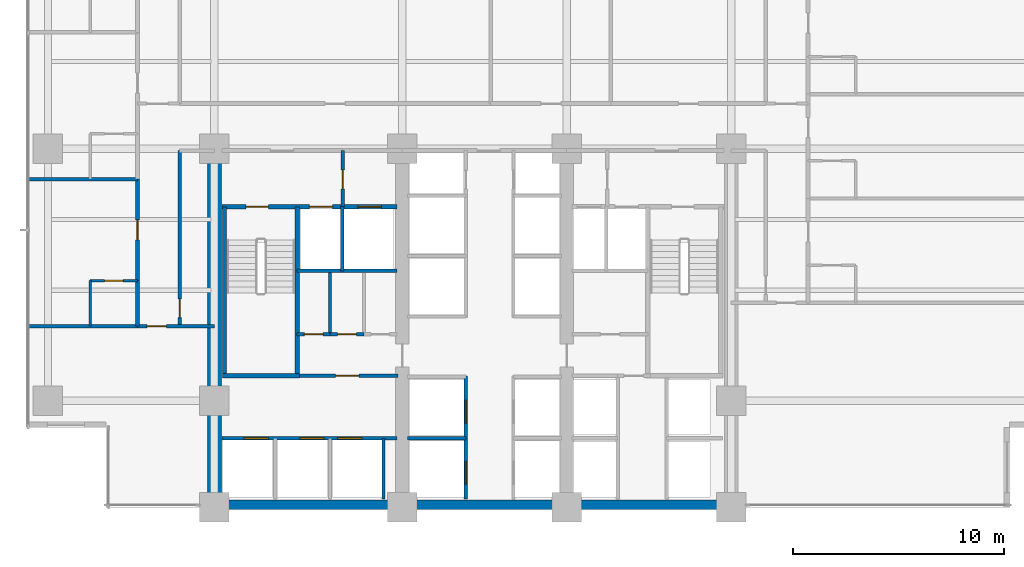
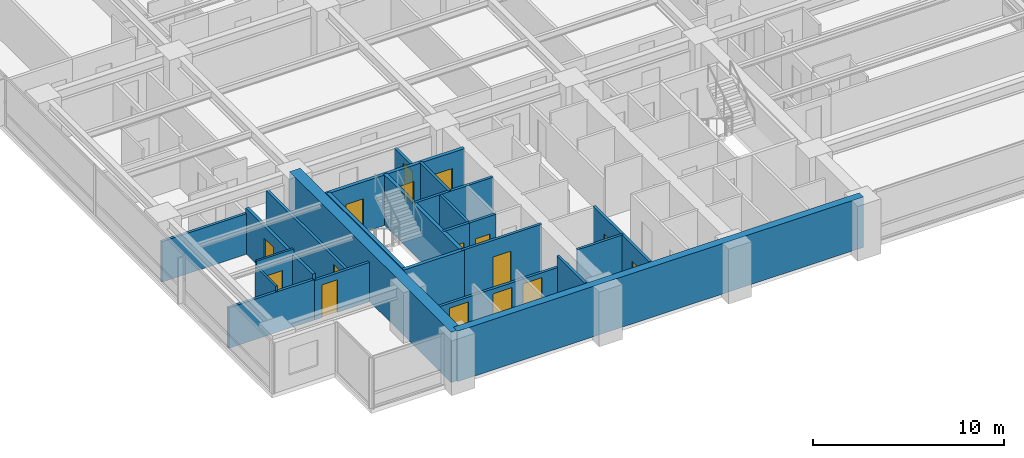
# One storey, part 7 of 17: 25 walls, 16 doors, 16 openings.
"""IFC4 building model written with IfcOpenShell, lengths in metres."""

import ifcopenshell
import ifcopenshell.guid

model = None  # the IFC model being written
_history = None  # IfcOwnerHistory: only IFC2X3 demands one
_inside = {}  # id of a spatial element -> (the spatial element, [elements in it])
_under = {}  # id of a project, library or spatial element -> (it, [spatial elements below it])
_declared = {}  # id of a project -> (the project, [libraries it declares])
_typed = {}  # id of a type object -> (the type object, [elements of that type])
_made_of = {}  # id of a material, layer set ... -> (it, [elements and type objects made of it])


def new_model(schema):
    """Start an empty IFC model of exactly this schema.

    Asked for "IFC4X3", IfcOpenShell would pick the latest addendum, in which some entities
    have other attributes; the version numbers below select the first issue.
    IFC2X3 requires an IfcOwnerHistory on every rooted entity: one is made here for all.
    """
    global model, _history
    if schema == "IFC4X3":
        model = ifcopenshell.file(schema_version=(4, 3, 0, 0))
    else:
        model = ifcopenshell.file(schema=schema)
    _inside.clear()
    _under.clear()
    _declared.clear()
    _typed.clear()
    _made_of.clear()
    _history = None
    if model.schema == "IFC2X3":
        org = make("IfcOrganization", Name="unknown")
        user = make(
            "IfcPersonAndOrganization",
            ThePerson=make("IfcPerson", FamilyName="unknown"),
            TheOrganization=org,
        )
        app = make(
            "IfcApplication",
            ApplicationDeveloper=org,
            Version="unknown",
            ApplicationFullName="unknown",
            ApplicationIdentifier="unknown",
        )
        _history = make(
            "IfcOwnerHistory",
            OwningUser=user,
            OwningApplication=app,
            ChangeAction="ADDED",
            CreationDate=0,
        )
    return model


def make(cls, **values):
    """One entity of the class cls with the attributes given. An attribute that is None is left unset."""
    return model.create_entity(
        cls, **{name: value for name, value in values.items() if value is not None}
    )


def rooted(cls, **values):
    """An entity with a GlobalId (a new one), such as an element, a storey or a relation."""
    return make(cls, GlobalId=ifcopenshell.guid.new(), OwnerHistory=_history, **values)


def si_unit(unit_type, name, prefix=None):
    """IfcSIUnit, for example si_unit("LENGTHUNIT", "METRE", prefix="MILLI")."""
    return make("IfcSIUnit", UnitType=unit_type, Prefix=prefix, Name=name)


def assignment(units):
    """IfcUnitAssignment: the units of a project."""
    return None if units is None else make("IfcUnitAssignment", Units=units)


def point(xyz):
    """IfcCartesianPoint."""
    return None if xyz is None else make("IfcCartesianPoint", Coordinates=xyz)


def direction(xyz):
    """IfcDirection."""
    return None if xyz is None else make("IfcDirection", DirectionRatios=xyz)


def frame(location, z_axis=None, x_axis=None):
    """IfcAxis2Placement3D, a coordinate frame: its origin and axes. An axis left out is left unset."""
    return make(
        "IfcAxis2Placement3D",
        Location=point(location),
        Axis=direction(z_axis),
        RefDirection=direction(x_axis),
    )


def frame_2d(location, x_axis=None):
    """IfcAxis2Placement2D, a coordinate frame in the plane: its origin and x axis."""
    return make(
        "IfcAxis2Placement2D", Location=point(location), RefDirection=direction(x_axis)
    )


def origin():
    """The frame at (0, 0, 0) with its axes left unset."""
    return frame((0.0, 0.0, 0.0))


def place(relative_to, where):
    """IfcLocalPlacement: puts the frame where relative to a parent placement (None: the world)."""
    return make(
        "IfcLocalPlacement", PlacementRelTo=relative_to, RelativePlacement=where
    )


def context(
    kind, dimensions, precision=None, world=None, true_north=None, identifier=None
):
    """IfcGeometricRepresentationContext, for example the 3D "Model" context."""
    return make(
        "IfcGeometricRepresentationContext",
        ContextIdentifier=identifier,
        ContextType=kind,
        CoordinateSpaceDimension=dimensions,
        Precision=precision,
        WorldCoordinateSystem=world,
        TrueNorth=true_north,
    )


def subcontext(parent, identifier, kind, view, scale=None):
    """IfcGeometricRepresentationSubContext, for example "Body" below "Model"."""
    return make(
        "IfcGeometricRepresentationSubContext",
        ContextIdentifier=identifier,
        ContextType=kind,
        ParentContext=parent,
        TargetScale=scale,
        TargetView=view,
    )


def project(units=None, contexts=None):
    """IfcProject with its units and contexts."""
    return rooted(
        "IfcProject",
        Name="project",
        RepresentationContexts=contexts,
        UnitsInContext=assignment(units),
    )


def spatial(cls, under=None, at=None, **own):
    """A site, building, storey or space (cls), placed at a placement, below another one or the project."""
    s = rooted(cls, ObjectPlacement=at, **own)
    if under is not None:
        _under.setdefault(under.id(), (under, []))[1].append(s)
    return s


def profile(cls, at=None, kind="AREA", **sizes):
    """A parametric profile (cls). Its sizes go by their IFC names, for example OverallWidth=200.0."""
    return make(cls, ProfileType=kind, Position=at, **sizes)


def rectangle(**sizes):
    """IfcRectangleProfileDef."""
    return profile("IfcRectangleProfileDef", **sizes)


def extrude(swept, where, along, depth):
    """IfcExtrudedAreaSolid: the profile swept, set in the frame where, extruded along a direction by depth."""
    return make(
        "IfcExtrudedAreaSolid",
        SweptArea=swept,
        Position=where,
        ExtrudedDirection=direction(along),
        Depth=depth,
    )


def shape(context_of_items, identifier, shape_type, items):
    """IfcShapeRepresentation: the items that make up one representation, for example the "Body"."""
    return make(
        "IfcShapeRepresentation",
        ContextOfItems=context_of_items,
        RepresentationIdentifier=identifier,
        RepresentationType=shape_type,
        Items=items,
    )


def material(Name=None, Category=None):
    """IfcMaterial."""
    return make("IfcMaterial", Name=Name, Category=Category)


def layer(
    of_material, thickness, ventilated=None, Name=None, Category=None, Priority=None
):
    """IfcMaterialLayer: one layer of a wall or slab, of a material (None: an air gap)."""
    return make(
        "IfcMaterialLayer",
        Material=of_material,
        LayerThickness=thickness,
        IsVentilated=ventilated,
        Name=Name,
        Category=Category,
        Priority=Priority,
    )


def layer_set(layers, Name=None):
    """IfcMaterialLayerSet."""
    return make("IfcMaterialLayerSet", MaterialLayers=layers, LayerSetName=Name)


def made_of(thing, what):
    """Note that an element or type object is made of a material, layer set ...; save() writes the relation."""
    if what is not None:
        _made_of.setdefault(what.id(), (what, []))[1].append(thing)
    return thing


def type_object(cls, material=None, **own):
    """A type object (cls), such as IfcWallType, which elements share."""
    return made_of(rooted(cls, **own), material)


def element(
    cls,
    number,
    at=None,
    inside=None,
    cuts=None,
    type_object=None,
    material=None,
    context=None,
    identifier="Body",
    shape_type=None,
    held_by="IfcProductDefinitionShape",
    body=None,
    shapes=None,
    **own,
):
    """One element of the class cls, such as IfcWall. Its Tag is "e" and its number.

    at: its placement. inside: the storey or other place that contains it. cuts: it is an
    opening in that element (IfcRelVoidsElement). A single representation is given by context,
    identifier, shape_type and body (its items); several are given by shapes. held_by: the class
    of the entity that holds the representations. save() writes the other relations.
    """
    e = rooted(cls, Tag="e%d" % number, ObjectPlacement=at, **own)
    if body is not None:
        shapes = [shape(context, identifier, shape_type, body)]
    if shapes is not None:
        e.Representation = make(held_by, Representations=shapes)
    if inside is not None:
        _inside.setdefault(inside.id(), (inside, []))[1].append(e)
    if cuts is not None:
        rooted(
            "IfcRelVoidsElement", RelatingBuildingElement=cuts, RelatedOpeningElement=e
        )
    if type_object is not None:
        _typed.setdefault(type_object.id(), (type_object, []))[1].append(e)
    return made_of(e, material)


def fill(opening, filler):
    """IfcRelFillsElement: the door or window that sits in an opening."""
    return rooted(
        "IfcRelFillsElement",
        RelatingOpeningElement=opening,
        RelatedBuildingElement=filler,
    )


def aggregate(whole, parts):
    """IfcRelAggregates: a whole, such as a stair, and the parts it consists of."""
    return rooted("IfcRelAggregates", RelatingObject=whole, RelatedObjects=parts)


def save(model, path):
    """Write the relations noted so far, then the file.

    IfcRelAggregates (storeys below a building ...), IfcRelContainedInSpatialStructure (elements
    in a storey), IfcRelDefinesByType, IfcRelAssociatesMaterial and IfcRelDeclares: one each for
    every whole, place, type object, material and project.
    """
    for whole, parts in _under.values():
        aggregate(whole, parts)
    for where, things in _inside.values():
        rooted(
            "IfcRelContainedInSpatialStructure",
            RelatedElements=things,
            RelatingStructure=where,
        )
    for kind, things in _typed.values():
        rooted("IfcRelDefinesByType", RelatedObjects=things, RelatingType=kind)
    for what, things in _made_of.values():
        rooted("IfcRelAssociatesMaterial", RelatedObjects=things, RelatingMaterial=what)
    for by, libraries in _declared.values():
        rooted("IfcRelDeclares", RelatingContext=by, RelatedDefinitions=libraries)
    model.write(path)


model = new_model("IFC4")

# Units and contexts
model_context = context("Model", 3, precision=1e-05, world=origin(), true_north=direction((0.0, 1.0)))
body_context = subcontext(model_context, "Body", "Model", "MODEL_VIEW")
ifc_project = project(units=[si_unit("LENGTHUNIT", "METRE"), si_unit("AREAUNIT", "SQUARE_METRE"), si_unit("VOLUMEUNIT", "CUBIC_METRE"), si_unit("PLANEANGLEUNIT", "RADIAN"), si_unit("MASSUNIT", "GRAM", prefix="KILO")], contexts=[model_context])

# Site, building, storey
site_placement = place(None, origin())
site = spatial("IfcSite", under=ifc_project, at=site_placement, CompositionType="ELEMENT")
building_placement = place(site_placement, origin())
building = spatial("IfcBuilding", under=site, at=building_placement, Name="Qalmaran Belvedere Hotel", CompositionType="ELEMENT")
storey_placement = place(building_placement, frame((0.0, 0.0, 33.39990234375)))
storey = spatial("IfcBuildingStorey", under=building, at=storey_placement, Name="L07", CompositionType="ELEMENT", Elevation=33.39990234375)

# Walls
ifc_material_1 = material(Name="Concrete C60/75", Category="concrete")
ifc_layer_1 = layer(ifc_material_1, 0.64990234375, Name="Concrete C60/75")
ifc_layer_set_1 = layer_set([ifc_layer_1], Name="Concrete C60/75")
wall_type_1 = type_object("IfcWallType", Name="WL-CORE-650-C60", PredefinedType="SHEAR", material=ifc_layer_set_1)
wall_1_placement = place(storey_placement, frame((20.300048828125, 3.5, 0.0), z_axis=(0.0, 0.0, 1.0), x_axis=(0.0, 1.0, 0.0)))
element("IfcWall", 1, at=wall_1_placement, inside=storey, type_object=wall_type_1, Name="L07 West Core Shear Wall", PredefinedType="SHEAR", context=body_context, shape_type="SweptSolid", body=[
    extrude(rectangle(XDim=16.89990234375, YDim=0.64990234375, at=frame_2d((8.449951171875, 0.0))), origin(), (0.0, 0.0, 1.0), 3.22021484375),
])
ifc_material_2 = material(Name="Concrete C50/60", Category="concrete")
ifc_layer_2 = layer(ifc_material_2, 0.43994140625, Name="Concrete C50/60")
ifc_layer_set_2 = layer_set([ifc_layer_2], Name="Concrete C50/60")
wall_type_2 = type_object("IfcWallType", Name="WL-CORES-440-EXT", PredefinedType="SHEAR", material=ifc_layer_set_2)
wall_2_placement = place(storey_placement, frame((20.300048828125, 3.6298828125, 0.0), z_axis=(0.0, 0.0, 1.0), x_axis=(1.0, 0.0, 0.0)))
element("IfcWall", 2, at=wall_2_placement, inside=storey, type_object=wall_type_2, Name="L07 South Core Shear Wall", PredefinedType="SHEAR", context=body_context, shape_type="SweptSolid", body=[
    extrude(rectangle(XDim=24.5, YDim=0.43994140625, at=frame_2d((12.25, 0.0))), origin(), (0.0, 0.0, 1.0), 3.22021484375),
])

# Wall, opening, door
ifc_material_3 = material(Name="Moisture-Resistant Gypsum")
ifc_layer_3 = layer(ifc_material_3, 0.1201171875, Name="Moisture-Resistant Gypsum")
ifc_layer_set_3 = layer_set([ifc_layer_3], Name="Moisture-Resistant Gypsum")
wall_type_3 = type_object("IfcWallType", Name="WL-INT-120-BATH", PredefinedType="PARTITIONING", material=ifc_layer_set_3)
wall_3_placement = place(storey_placement, frame((14.39990234375, 14.25, 0.0), z_axis=(0.0, 0.0, 1.0), x_axis=(1.0, 0.0, 0.0)))
wall_3 = element("IfcWall", 3, at=wall_3_placement, inside=storey, type_object=wall_type_3, Name="L07 Partition WL-L07-WBN00", PredefinedType="PARTITIONING", context=body_context, shape_type="SweptSolid", body=[
    extrude(rectangle(XDim=2.25, YDim=0.1201171875, at=frame_2d((1.125, 0.0))), origin(), (0.0, 0.0, 1.0), 3.22021484375),
])
opening_1_placement = place(wall_3_placement, frame((1.56494140625, 0.0, 0.0), z_axis=(0.0, 0.0, 1.0), x_axis=(-1.0, 0.0, 0.0)))
opening_1 = element("IfcOpeningElement", 4, at=opening_1_placement, cuts=wall_3, Name="Opening D-BATH", PredefinedType="OPENING", context=body_context, shape_type="SweptSolid", body=[
    extrude(rectangle(XDim=0.8798828125, YDim=2.080078125, at=frame_2d((0.43994140625, 1.0400390625))), frame((0.0, 0.070068359375, 0.0), z_axis=(0.0, -1.0, 0.0), x_axis=(1.0, 0.0, 0.0)), (0.0, 0.0, 1.0), 0.14013671875),
])
ifc_material_4 = material(Name="Engineered Oak Veneer")
door_type_1 = type_object("IfcDoorType", Name="DR-INT-BATH-880X2080", OperationType="NOTDEFINED", PredefinedType="DOOR", material=ifc_material_4)
door_1_placement = place(opening_1_placement, origin())
door_1 = element("IfcDoor", 5, at=door_1_placement, inside=storey, type_object=door_type_1, Name="L07 W Ensuite Door 01", OperationType="SINGLE_SWING_RIGHT", OverallHeight=2.080078125, OverallWidth=0.8798828125, PredefinedType="DOOR", context=body_context, shape_type="SweptSolid", body=[
    extrude(rectangle(XDim=0.8798828125, YDim=2.080078125, at=frame_2d((0.43994140625, 1.0400390625))), frame((0.0, 0.02490234375, 0.0), z_axis=(0.0, -1.0, 0.0), x_axis=(1.0, 0.0, 0.0)), (0.0, 0.0, 1.0), 0.050048828125),
])
fill(opening_1, door_1)

# Walls
wall_4_placement = place(storey_placement, frame((14.39990234375, 12.10009765625, 0.0), z_axis=(0.0, 0.0, 1.0), x_axis=(0.0, 1.0, 0.0)))
element("IfcWall", 6, at=wall_4_placement, inside=storey, type_object=wall_type_3, Name="L07 Partition WL-L07-WBS00", PredefinedType="PARTITIONING", context=body_context, shape_type="SweptSolid", body=[
    extrude(rectangle(XDim=2.14990234375, YDim=0.1201171875, at=frame_2d((1.074951171875, 0.0))), origin(), (0.0, 0.0, 1.0), 2.902099609375),
])
ifc_material_5 = material(Name="Gypsum Stud Partition")
ifc_layer_4 = layer(ifc_material_5, 0.14990234375, Name="Gypsum Stud Partition")
ifc_layer_set_4 = layer_set([ifc_layer_4], Name="Gypsum Stud Partition")
wall_type_4 = type_object("IfcWallType", Name="WL-INT-150-EI120", PredefinedType="PARTITIONING", material=ifc_layer_set_4)
wall_5_placement = place(storey_placement, frame((26.360107421875, 14.719970703125, 0.0), z_axis=(0.0, 0.0, 1.0), x_axis=(0.0, 1.0, 0.0)))
element("IfcWall", 7, at=wall_5_placement, inside=storey, type_object=wall_type_4, Name="L07 Partition WL-FF1M-L07", PredefinedType="PARTITIONING", context=body_context, shape_type="SweptSolid", body=[
    extrude(rectangle(XDim=3.0400390625, YDim=0.14990234375, at=frame_2d((1.52001953125, 0.0))), origin(), (0.0, 0.0, 1.0), 3.22021484375),
])
wall_6_placement = place(storey_placement, frame((28.320068359375, 3.89990234375, 0.0), z_axis=(0.0, 0.0, 1.0), x_axis=(0.0, 1.0, 0.0)))
element("IfcWall", 8, at=wall_6_placement, inside=storey, type_object=wall_type_4, Name="L07 Partition WL-POM3-L07", PredefinedType="PARTITIONING", context=body_context, shape_type="SweptSolid", body=[
    extrude(rectangle(XDim=2.880126953125, YDim=0.14990234375, at=frame_2d((1.43994140625, 0.0))), origin(), (0.0, 0.0, 1.0), 3.22021484375),
])
wall_7_placement = place(storey_placement, frame((29.449951171875, 6.780029296875, 0.0), z_axis=(0.0, 0.0, 1.0), x_axis=(1.0, 0.0, 0.0)))
element("IfcWall", 9, at=wall_7_placement, inside=storey, type_object=wall_type_4, Name="L07 Partition WL-PLW-L07-67", PredefinedType="PARTITIONING", context=body_context, shape_type="SweptSolid", body=[
    extrude(rectangle(XDim=2.77001953125, YDim=0.14990234375, at=frame_2d((1.385009765625, 0.0))), origin(), (0.0, 0.0, 1.0), 3.22021484375),
])
ifc_layer_5 = layer(ifc_material_5, 0.14990234375, Name="Gypsum Stud Partition")
ifc_layer_set_5 = layer_set([ifc_layer_5], Name="Gypsum Stud Partition")
wall_type_5 = type_object("IfcWallType", Name="WL-INT-150-EI60", PredefinedType="PARTITIONING", material=ifc_layer_set_5)
wall_8_placement = place(storey_placement, frame((25.781005859375, 11.719970703125, 0.0), z_axis=(0.0, 0.0, 1.0), x_axis=(0.0, 1.0, 0.0)))
element("IfcWall", 10, at=wall_8_placement, inside=storey, type_object=wall_type_5, Name="L07 Partition WL-L07-KWV1", PredefinedType="PARTITIONING", context=body_context, shape_type="SweptSolid", body=[
    extrude(rectangle(XDim=2.929931640625, YDim=0.14990234375, at=frame_2d((1.46484375, 0.0))), origin(), (0.0, 0.0, 1.0), 3.22021484375),
])

# Wall, opening, door
ifc_layer_6 = layer(ifc_material_5, 0.159912109375, Name="Gypsum Stud Partition")
ifc_layer_set_6 = layer_set([ifc_layer_6], Name="Gypsum Stud Partition")
wall_type_6 = type_object("IfcWallType", Name="WL-INT-160-EI120", PredefinedType="PARTITIONING", material=ifc_layer_set_6)
wall_9_placement = place(storey_placement, frame((26.3798828125, 17.760009765625, 0.0), z_axis=(0.0, 0.0, 1.0), x_axis=(0.0, 1.0, 0.0)))
wall_9 = element("IfcWall", 11, at=wall_9_placement, inside=storey, type_object=wall_type_6, Name="L07 Partition WL-FFSV1-L07", PredefinedType="PARTITIONING", context=body_context, shape_type="SweptSolid", body=[
    extrude(rectangle(XDim=2.659912109375, YDim=0.159912109375, at=frame_2d((1.330078125, 0.0))), origin(), (0.0, 0.0, 1.0), 2.510009765625),
])
opening_2_placement = place(wall_9_placement, frame((0.85009765625, 0.0, 0.0)))
opening_2 = element("IfcOpeningElement", 12, at=opening_2_placement, cuts=wall_9, Name="Opening FD60B", PredefinedType="OPENING", context=body_context, shape_type="SweptSolid", body=[
    extrude(rectangle(XDim=0.8798828125, YDim=2.080078125, at=frame_2d((0.43994140625, 1.0400390625))), frame((0.0, 0.08984375, 0.0), z_axis=(0.0, -1.0, 0.0), x_axis=(1.0, 0.0, 0.0)), (0.0, 0.0, 1.0), 0.179931640625),
])
ifc_material_6 = material(Name="Steel S355JR", Category="steel")
door_type_2 = type_object("IfcDoorType", Name="DR-FD60B-880X2080", OperationType="NOTDEFINED", PredefinedType="DOOR", material=ifc_material_6)
door_2_placement = place(opening_2_placement, origin())
door_2 = element("IfcDoor", 13, at=door_2_placement, inside=storey, type_object=door_type_2, Name="L07 Service Lobby West Door", OperationType="SINGLE_SWING_RIGHT", OverallHeight=2.080078125, OverallWidth=0.8798828125, PredefinedType="DOOR", context=body_context, shape_type="SweptSolid", body=[
    extrude(rectangle(XDim=0.8798828125, YDim=2.080078125, at=frame_2d((0.43994140625, 1.0400390625))), frame((0.0, 0.02490234375, 0.0), z_axis=(0.0, -1.0, 0.0), x_axis=(1.0, 0.0, 0.0)), (0.0, 0.0, 1.0), 0.050048828125),
])
fill(opening_2, door_2)

# Wall
wall_10_placement = place(storey_placement, frame((24.219970703125, 14.719970703125, 0.0), z_axis=(0.0, 0.0, 1.0), x_axis=(1.0, 0.0, 0.0)))
element("IfcWall", 14, at=wall_10_placement, inside=storey, type_object=wall_type_6, Name="L07 Partition WL-FF1S-L07", PredefinedType="PARTITIONING", context=body_context, shape_type="SweptSolid", body=[
    extrude(rectangle(XDim=4.72998046875, YDim=0.159912109375, at=frame_2d((2.364990234375, 0.0))), origin(), (0.0, 0.0, 1.0), 3.22021484375),
])

# Wall, openings, doors
wall_11_placement = place(storey_placement, frame((20.64990234375, 6.780029296875, 0.0), z_axis=(0.0, 0.0, 1.0), x_axis=(1.0, 0.0, 0.0)))
wall_11 = element("IfcWall", 15, at=wall_11_placement, inside=storey, type_object=wall_type_6, Name="L07 Partition WL-POS-L07", PredefinedType="PARTITIONING", context=body_context, shape_type="SweptSolid", body=[
    extrude(rectangle(XDim=8.300048828125, YDim=0.159912109375, at=frame_2d((4.14990234375, 0.0))), origin(), (0.0, 0.0, 1.0), 2.510009765625),
])
opening_3_placement = place(wall_11_placement, frame((3.69482421875, 0.0, 0.0)))
opening_3 = element("IfcOpeningElement", 16, at=opening_3_placement, cuts=wall_11, Name="Opening LD-PO", PredefinedType="OPENING", context=body_context, shape_type="SweptSolid", body=[
    extrude(rectangle(XDim=1.14990234375, YDim=2.199951171875, at=frame_2d((0.574951171875, 1.10009765625))), frame((0.0, 0.08984375, 0.0), z_axis=(0.0, -1.0, 0.0), x_axis=(1.0, 0.0, 0.0)), (0.0, 0.0, 1.0), 0.179931640625),
])
opening_4_placement = place(wall_11_placement, frame((5.4921875, 0.0, 0.0)))
opening_4 = element("IfcOpeningElement", 17, at=opening_4_placement, cuts=wall_11, Name="Opening LD-PO", PredefinedType="OPENING", context=body_context, shape_type="SweptSolid", body=[
    extrude(rectangle(XDim=1.14990234375, YDim=2.199951171875, at=frame_2d((0.574951171875, 1.10009765625))), frame((0.0, 0.08984375, 0.0), z_axis=(0.0, -1.0, 0.0), x_axis=(1.0, 0.0, 0.0)), (0.0, 0.0, 1.0), 0.179931640625),
])
opening_5_placement = place(wall_11_placement, frame((1.058837890625, 0.0, 0.0)))
opening_5 = element("IfcOpeningElement", 18, at=opening_5_placement, cuts=wall_11, Name="Opening LD-PO", PredefinedType="OPENING", context=body_context, shape_type="SweptSolid", body=[
    extrude(rectangle(XDim=1.14990234375, YDim=2.199951171875, at=frame_2d((0.574951171875, 1.10009765625))), frame((0.0, 0.08984375, 0.0), z_axis=(0.0, -1.0, 0.0), x_axis=(1.0, 0.0, 0.0)), (0.0, 0.0, 1.0), 0.179931640625),
])
ifc_material_7 = material(Name="Anodised Bronze Aluminium", Category="aluminium")
door_type_3 = type_object("IfcDoorType", Name="DR-LIFT-PO-1150X2200", OperationType="DOUBLE_DOOR_SLIDING", PredefinedType="DOOR", material=ifc_material_7)
door_3_placement = place(opening_3_placement, origin())
door_3 = element("IfcDoor", 19, at=door_3_placement, inside=storey, type_object=door_type_3, Name="L07 PO1 Shuttle Landing Door", OperationType="DOUBLE_DOOR_SLIDING", OverallHeight=2.199951171875, OverallWidth=1.14990234375, PredefinedType="DOOR", context=body_context, shape_type="SweptSolid", body=[
    extrude(rectangle(XDim=1.14990234375, YDim=2.199951171875, at=frame_2d((0.574951171875, 1.10009765625))), frame((0.0, 0.02490234375, 0.0), z_axis=(0.0, -1.0, 0.0), x_axis=(1.0, 0.0, 0.0)), (0.0, 0.0, 1.0), 0.050048828125),
])
fill(opening_3, door_3)
door_4_placement = place(opening_4_placement, origin())
door_4 = element("IfcDoor", 20, at=door_4_placement, inside=storey, type_object=door_type_3, Name="L07 PO2 Shuttle Landing Door", OperationType="DOUBLE_DOOR_SLIDING", OverallHeight=2.199951171875, OverallWidth=1.14990234375, PredefinedType="DOOR", context=body_context, shape_type="SweptSolid", body=[
    extrude(rectangle(XDim=1.14990234375, YDim=2.199951171875, at=frame_2d((0.574951171875, 1.10009765625))), frame((0.0, 0.02490234375, 0.0), z_axis=(0.0, -1.0, 0.0), x_axis=(1.0, 0.0, 0.0)), (0.0, 0.0, 1.0), 0.050048828125),
])
fill(opening_4, door_4)
door_5_placement = place(opening_5_placement, origin())
door_5 = element("IfcDoor", 21, at=door_5_placement, inside=storey, type_object=door_type_3, Name="L07 PO3 Shuttle Landing Door", OperationType="DOUBLE_DOOR_SLIDING", OverallHeight=2.199951171875, OverallWidth=1.14990234375, PredefinedType="DOOR", context=body_context, shape_type="SweptSolid", body=[
    extrude(rectangle(XDim=1.14990234375, YDim=2.199951171875, at=frame_2d((0.574951171875, 1.10009765625))), frame((0.0, 0.02490234375, 0.0), z_axis=(0.0, -1.0, 0.0), x_axis=(1.0, 0.0, 0.0)), (0.0, 0.0, 1.0), 0.050048828125),
])
fill(opening_5, door_5)

# Wall, opening, door
wall_12_placement = place(storey_placement, frame((24.199951171875, 9.739990234375, 0.0), z_axis=(0.0, 0.0, 1.0), x_axis=(1.0, 0.0, 0.0)))
wall_12 = element("IfcWall", 22, at=wall_12_placement, inside=storey, type_object=wall_type_6, Name="L07 Partition WL-PON-L07", PredefinedType="PARTITIONING", context=body_context, shape_type="SweptSolid", body=[
    extrude(rectangle(XDim=4.800048828125, YDim=0.159912109375, at=frame_2d((2.39990234375, 0.0))), origin(), (0.0, 0.0, 1.0), 3.22021484375),
])
opening_6_placement = place(wall_12_placement, frame((1.85009765625, 0.0, 0.0)))
opening_6 = element("IfcOpeningElement", 23, at=opening_6_placement, cuts=wall_12, Name="Opening FD90", PredefinedType="OPENING", context=body_context, shape_type="SweptSolid", body=[
    extrude(rectangle(XDim=1.10009765625, YDim=2.14990234375, at=frame_2d((0.550048828125, 1.074951171875))), frame((0.0, 0.08984375, 0.0), z_axis=(0.0, -1.0, 0.0), x_axis=(1.0, 0.0, 0.0)), (0.0, 0.0, 1.0), 0.179931640625),
])
door_type_4 = type_object("IfcDoorType", Name="DR-FD90-1100X2150", OperationType="NOTDEFINED", PredefinedType="DOOR", material=ifc_material_6)
door_6_placement = place(opening_6_placement, origin())
door_6 = element("IfcDoor", 24, at=door_6_placement, inside=storey, type_object=door_type_4, Name="L07 Shuttle Lobby Passage Door", OperationType="SINGLE_SWING_LEFT", OverallHeight=2.14990234375, OverallWidth=1.10009765625, PredefinedType="DOOR", context=body_context, shape_type="SweptSolid", body=[
    extrude(rectangle(XDim=1.10009765625, YDim=2.14990234375, at=frame_2d((0.550048828125, 1.074951171875))), frame((0.0, 0.02490234375, 0.0), z_axis=(0.0, -1.0, 0.0), x_axis=(1.0, 0.0, 0.0)), (0.0, 0.0, 1.0), 0.050048828125),
])
fill(opening_6, door_6)

# Wall, openings, doors
wall_13_placement = place(storey_placement, frame((32.219970703125, 3.89990234375, 0.0), z_axis=(0.0, 0.0, 1.0), x_axis=(0.0, 1.0, 0.0)))
wall_13 = element("IfcWall", 25, at=wall_13_placement, inside=storey, type_object=wall_type_6, Name="L07 Partition WL-CLBWS-L07", PredefinedType="PARTITIONING", context=body_context, shape_type="SweptSolid", body=[
    extrude(rectangle(XDim=5.840087890625, YDim=0.159912109375, at=frame_2d((2.919921875, 0.0))), origin(), (0.0, 0.0, 1.0), 3.22021484375),
])
opening_7_placement = place(wall_13_placement, frame((1.780029296875, 0.0, 0.0), z_axis=(0.0, 0.0, 1.0), x_axis=(-1.0, 0.0, 0.0)))
opening_7 = element("IfcOpeningElement", 26, at=opening_7_placement, cuts=wall_13, Name="Opening LD-P1", PredefinedType="OPENING", context=body_context, shape_type="SweptSolid", body=[
    extrude(rectangle(XDim=1.080078125, YDim=2.159912109375, at=frame_2d((0.5400390625, 1.080078125))), frame((0.0, 0.08984375, 0.0), z_axis=(0.0, -1.0, 0.0), x_axis=(1.0, 0.0, 0.0)), (0.0, 0.0, 1.0), 0.179931640625),
])
opening_8_placement = place(wall_13_placement, frame((4.68017578125, 0.0, 0.0), z_axis=(0.0, 0.0, 1.0), x_axis=(-1.0, 0.0, 0.0)))
opening_8 = element("IfcOpeningElement", 27, at=opening_8_placement, cuts=wall_13, Name="Opening LD-P1", PredefinedType="OPENING", context=body_context, shape_type="SweptSolid", body=[
    extrude(rectangle(XDim=1.080078125, YDim=2.159912109375, at=frame_2d((0.5400390625, 1.080078125))), frame((0.0, 0.08984375, 0.0), z_axis=(0.0, -1.0, 0.0), x_axis=(1.0, 0.0, 0.0)), (0.0, 0.0, 1.0), 0.179931640625),
])
ifc_material_8 = material(Name="Stainless Steel 1.4401", Category="steel")
door_type_5 = type_object("IfcDoorType", Name="DR-LIFT-P1-1080X2160", OperationType="DOUBLE_DOOR_SLIDING", PredefinedType="DOOR", material=ifc_material_8)
door_7_placement = place(opening_7_placement, origin())
door_7 = element("IfcDoor", 28, at=door_7_placement, inside=storey, type_object=door_type_5, Name="L07 PL1 Lift Landing Door", OperationType="DOUBLE_DOOR_SLIDING", OverallHeight=2.159912109375, OverallWidth=1.080078125, PredefinedType="DOOR", context=body_context, shape_type="SweptSolid", body=[
    extrude(rectangle(XDim=1.080078125, YDim=2.159912109375, at=frame_2d((0.5400390625, 1.080078125))), frame((0.0, 0.02490234375, 0.0), z_axis=(0.0, -1.0, 0.0), x_axis=(1.0, 0.0, 0.0)), (0.0, 0.0, 1.0), 0.050048828125),
])
fill(opening_7, door_7)
door_8_placement = place(opening_8_placement, origin())
door_8 = element("IfcDoor", 29, at=door_8_placement, inside=storey, type_object=door_type_5, Name="L07 PL2 Lift Landing Door", OperationType="DOUBLE_DOOR_SLIDING", OverallHeight=2.159912109375, OverallWidth=1.080078125, PredefinedType="DOOR", context=body_context, shape_type="SweptSolid", body=[
    extrude(rectangle(XDim=1.080078125, YDim=2.159912109375, at=frame_2d((0.5400390625, 1.080078125))), frame((0.0, 0.02490234375, 0.0), z_axis=(0.0, -1.0, 0.0), x_axis=(1.0, 0.0, 0.0)), (0.0, 0.0, 1.0), 0.050048828125),
])
fill(opening_8, door_8)

# Wall, opening, door
ifc_layer_7 = layer(ifc_material_5, 0.159912109375, Name="Gypsum Stud Partition")
ifc_layer_set_7 = layer_set([ifc_layer_7], Name="Gypsum Stud Partition")
wall_type_7 = type_object("IfcWallType", Name="WL-INT-160-EI60", PredefinedType="PARTITIONING", material=ifc_layer_set_7)
wall_14_placement = place(storey_placement, frame((24.219970703125, 11.719970703125, 0.0), z_axis=(0.0, 0.0, 1.0), x_axis=(1.0, 0.0, 0.0)))
wall_14 = element("IfcWall", 30, at=wall_14_placement, inside=storey, type_object=wall_type_7, Name="L07 Partition WL-L07-KWE1", PredefinedType="PARTITIONING", context=body_context, shape_type="SweptSolid", body=[
    extrude(rectangle(XDim=1.56103515625, YDim=0.159912109375, at=frame_2d((0.780517578125, 0.0))), origin(), (0.0, 0.0, 1.0), 3.22021484375),
])
opening_9_placement = place(wall_14_placement, frame((0.340576171875, 0.0, 0.0)))
opening_9 = element("IfcOpeningElement", 31, at=opening_9_placement, cuts=wall_14, Name="Opening FD60B", PredefinedType="OPENING", context=body_context, shape_type="SweptSolid", body=[
    extrude(rectangle(XDim=0.8798828125, YDim=2.080078125, at=frame_2d((0.43994140625, 1.0400390625))), frame((0.0, 0.08984375, 0.0), z_axis=(0.0, -1.0, 0.0), x_axis=(1.0, 0.0, 0.0)), (0.0, 0.0, 1.0), 0.179931640625),
])
door_9_placement = place(opening_9_placement, origin())
door_9 = element("IfcDoor", 32, at=door_9_placement, inside=storey, type_object=door_type_2, Name="L07 Staff Core WC Door", OperationType="SINGLE_SWING_LEFT", OverallHeight=2.080078125, OverallWidth=0.8798828125, PredefinedType="DOOR", context=body_context, shape_type="SweptSolid", body=[
    extrude(rectangle(XDim=0.8798828125, YDim=2.080078125, at=frame_2d((0.43994140625, 1.0400390625))), frame((0.0, 0.02490234375, 0.0), z_axis=(0.0, -1.0, 0.0), x_axis=(1.0, 0.0, 0.0)), (0.0, 0.0, 1.0), 0.050048828125),
])
fill(opening_9, door_9)

wall_15_placement = place(storey_placement, frame((25.781005859375, 11.719970703125, 0.0), z_axis=(0.0, 0.0, 1.0), x_axis=(1.0, 0.0, 0.0)))
wall_15 = element("IfcWall", 33, at=wall_15_placement, inside=storey, type_object=wall_type_7, Name="L07 Partition WL-L07-KWE2", PredefinedType="PARTITIONING", context=body_context, shape_type="SweptSolid", body=[
    extrude(rectangle(XDim=1.608154296875, YDim=0.159912109375, at=frame_2d((0.80419921875, 0.0))), origin(), (0.0, 0.0, 1.0), 3.22021484375),
])
opening_10_placement = place(wall_15_placement, frame((0.364013671875, 0.0, 0.0)))
opening_10 = element("IfcOpeningElement", 34, at=opening_10_placement, cuts=wall_15, Name="Opening FD60B", PredefinedType="OPENING", context=body_context, shape_type="SweptSolid", body=[
    extrude(rectangle(XDim=0.8798828125, YDim=2.080078125, at=frame_2d((0.43994140625, 1.0400390625))), frame((0.0, 0.08984375, 0.0), z_axis=(0.0, -1.0, 0.0), x_axis=(1.0, 0.0, 0.0)), (0.0, 0.0, 1.0), 0.179931640625),
])
door_10_placement = place(opening_10_placement, origin())
door_10 = element("IfcDoor", 35, at=door_10_placement, inside=storey, type_object=door_type_2, Name="L07 Electrical Distribution Room Door", OperationType="SINGLE_SWING_RIGHT", OverallHeight=2.080078125, OverallWidth=0.8798828125, PredefinedType="DOOR", context=body_context, shape_type="SweptSolid", body=[
    extrude(rectangle(XDim=0.8798828125, YDim=2.080078125, at=frame_2d((0.43994140625, 1.0400390625))), frame((0.0, 0.02490234375, 0.0), z_axis=(0.0, -1.0, 0.0), x_axis=(1.0, 0.0, 0.0)), (0.0, 0.0, 1.0), 0.050048828125),
])
fill(opening_10, door_10)

wall_16_placement = place(storey_placement, frame((16.64990234375, 12.10009765625, 0.0), z_axis=(0.0, 0.0, 1.0), x_axis=(1.0, 0.0, 0.0)))
wall_16 = element("IfcWall", 36, at=wall_16_placement, inside=storey, type_object=wall_type_7, Name="L07 Partition WL-L07-SWRL", PredefinedType="PARTITIONING", context=body_context, shape_type="SweptSolid", body=[
    extrude(rectangle(XDim=3.650146484375, YDim=0.159912109375, at=frame_2d((1.8251953125, 0.0))), origin(), (0.0, 0.0, 1.0), 2.510009765625),
])
opening_11_placement = place(wall_16_placement, frame((1.369873046875, 0.0, 0.0), z_axis=(0.0, 0.0, 1.0), x_axis=(-1.0, 0.0, 0.0)))
opening_11 = element("IfcOpeningElement", 37, at=opening_11_placement, cuts=wall_16, Name="Opening FD60S1", PredefinedType="OPENING", context=body_context, shape_type="SweptSolid", body=[
    extrude(rectangle(XDim=0.919921875, YDim=2.080078125, at=frame_2d((0.4599609375, 1.0400390625))), frame((0.0, 0.08984375, 0.0), z_axis=(0.0, -1.0, 0.0), x_axis=(1.0, 0.0, 0.0)), (0.0, 0.0, 1.0), 0.179931640625),
])
door_type_6 = type_object("IfcDoorType", Name="DR-FD60S-920X2080", OperationType="NOTDEFINED", PredefinedType="DOOR", material=ifc_material_4)
door_11_placement = place(opening_11_placement, origin())
door_11 = element("IfcDoor", 38, at=door_11_placement, inside=storey, type_object=door_type_6, Name="L07 SW Lounge Door", OperationType="SINGLE_SWING_LEFT", OverallHeight=2.080078125, OverallWidth=0.919921875, PredefinedType="DOOR", context=body_context, shape_type="SweptSolid", body=[
    extrude(rectangle(XDim=0.919921875, YDim=2.080078125, at=frame_2d((0.4599609375, 1.0400390625))), frame((0.0, 0.02490234375, 0.0), z_axis=(0.0, -1.0, 0.0), x_axis=(1.0, 0.0, 0.0)), (0.0, 0.0, 1.0), 0.050048828125),
])
fill(opening_11, door_11)

wall_17_placement = place(storey_placement, frame((18.64990234375, 12.10009765625, 0.0), z_axis=(0.0, 0.0, 1.0), x_axis=(0.0, 1.0, 0.0)))
wall_17 = element("IfcWall", 39, at=wall_17_placement, inside=storey, type_object=wall_type_7, Name="L07 Partition WL-L07-WCL", PredefinedType="PARTITIONING", context=body_context, shape_type="SweptSolid", body=[
    extrude(rectangle(XDim=8.31982421875, YDim=0.159912109375, at=frame_2d((4.159912109375, 0.0))), origin(), (0.0, 0.0, 1.0), 2.510009765625),
])
opening_12_placement = place(wall_17_placement, frame((1.27978515625, 0.0, 0.0), z_axis=(0.0, 0.0, 1.0), x_axis=(-1.0, 0.0, 0.0)))
opening_12 = element("IfcOpeningElement", 40, at=opening_12_placement, cuts=wall_17, Name="Opening FD60B", PredefinedType="OPENING", context=body_context, shape_type="SweptSolid", body=[
    extrude(rectangle(XDim=0.8798828125, YDim=2.080078125, at=frame_2d((0.43994140625, 1.0400390625))), frame((0.0, 0.08984375, 0.0), z_axis=(0.0, -1.0, 0.0), x_axis=(1.0, 0.0, 0.0)), (0.0, 0.0, 1.0), 0.179931640625),
])
door_12_placement = place(opening_12_placement, origin())
door_12 = element("IfcDoor", 41, at=door_12_placement, inside=storey, type_object=door_type_2, Name="L07 West Closet Door", OperationType="SINGLE_SWING_LEFT", OverallHeight=2.080078125, OverallWidth=0.8798828125, PredefinedType="DOOR", context=body_context, shape_type="SweptSolid", body=[
    extrude(rectangle(XDim=0.8798828125, YDim=2.080078125, at=frame_2d((0.43994140625, 1.0400390625))), frame((0.0, 0.02490234375, 0.0), z_axis=(0.0, -1.0, 0.0), x_axis=(1.0, 0.0, 0.0)), (0.0, 0.0, 1.0), 0.050048828125),
])
fill(opening_12, door_12)

# Walls
for number, where, z_axis, x_axis, name in (
    (42, (11.469970703125, 12.10009765625, 0.0), (0.0, 0.0, 1.0), (1.0, 0.0, 0.0), "L07 Partition WL-L07-WBOT"),
    (43, (11.469970703125, 19.066650390625, 0.0), (0.0, 0.0, 1.0), (1.0, 0.0, 0.0), "L07 Partition WL-L07-WU00"),
):
    element("IfcWall", number, at=place(storey_placement, frame(where, z_axis=z_axis, x_axis=x_axis)), inside=storey, type_object=wall_type_7, Name=name, PredefinedType="PARTITIONING", context=body_context, shape_type="SweptSolid", body=[
        extrude(rectangle(XDim=5.179931640625, YDim=0.159912109375, at=frame_2d((2.58984375, 0.0))), origin(), (0.0, 0.0, 1.0), 2.5830078125),
    ])
ifc_layer_8 = layer(ifc_material_5, 0.179931640625, Name="Gypsum Stud Partition")
ifc_layer_set_8 = layer_set([ifc_layer_8], Name="Gypsum Stud Partition")
wall_type_8 = type_object("IfcWallType", Name="WL-INT-180-EI60", PredefinedType="PARTITIONING", material=ifc_layer_set_8)
wall_18_placement = place(storey_placement, frame((16.64990234375, 12.10009765625, 0.0), z_axis=(0.0, 0.0, 1.0), x_axis=(0.0, 1.0, 0.0)))
element("IfcWall", 44, at=wall_18_placement, inside=storey, type_object=wall_type_8, Name="L07 Partition WL-L07-WBC00", PredefinedType="PARTITIONING", context=body_context, shape_type="SweptSolid", body=[
    extrude(rectangle(XDim=2.14990234375, YDim=0.179931640625, at=frame_2d((1.074951171875, 0.0))), origin(), (0.0, 0.0, 1.0), 2.902099609375),
])

# Wall, opening, door
wall_19_placement = place(storey_placement, frame((16.64990234375, 14.25, 0.0), z_axis=(0.0, 0.0, 1.0), x_axis=(0.0, 1.0, 0.0)))
wall_19 = element("IfcWall", 45, at=wall_19_placement, inside=storey, type_object=wall_type_8, Name="L07 Partition WL-L07-WEC00", PredefinedType="PARTITIONING", context=body_context, shape_type="SweptSolid", body=[
    extrude(rectangle(XDim=4.816650390625, YDim=0.179931640625, at=frame_2d((2.408203125, 0.0))), origin(), (0.0, 0.0, 1.0), 2.902099609375),
])
opening_13_placement = place(wall_19_placement, frame((1.933349609375, 0.0, 0.0)))
opening_13 = element("IfcOpeningElement", 46, at=opening_13_placement, cuts=wall_19, Name="Opening FD60", PredefinedType="OPENING", context=body_context, shape_type="SweptSolid", body=[
    extrude(rectangle(XDim=0.949951171875, YDim=2.14990234375, at=frame_2d((0.47509765625, 1.074951171875))), frame((0.0, 0.10009765625, 0.0), z_axis=(0.0, -1.0, 0.0), x_axis=(1.0, 0.0, 0.0)), (0.0, 0.0, 1.0), 0.199951171875),
])
door_type_7 = type_object("IfcDoorType", Name="DR-FD60-950X2150", OperationType="NOTDEFINED", PredefinedType="DOOR", material=ifc_material_4)
door_13_placement = place(opening_13_placement, origin())
door_13 = element("IfcDoor", 47, at=door_13_placement, inside=storey, type_object=door_type_7, Name="L07 W Wing Door 01", OperationType="SINGLE_SWING_LEFT", OverallHeight=2.14990234375, OverallWidth=0.949951171875, PredefinedType="DOOR", context=body_context, shape_type="SweptSolid", body=[
    extrude(rectangle(XDim=0.949951171875, YDim=2.14990234375, at=frame_2d((0.47509765625, 1.074951171875))), frame((0.0, 0.02490234375, 0.0), z_axis=(0.0, -1.0, 0.0), x_axis=(1.0, 0.0, 0.0)), (0.0, 0.0, 1.0), 0.050048828125),
])
fill(opening_13, door_13)

# Walls
ifc_layer_9 = layer(ifc_material_2, 0.2099609375, Name="Concrete C50/60")
ifc_layer_set_9 = layer_set([ifc_layer_9], Name="Concrete C50/60")
wall_type_9 = type_object("IfcWallType", Name="WL-STAIR-210-C50", PredefinedType="SHEAR", material=ifc_layer_set_9)
for number, where, z_axis, x_axis, name in (
    (48, (20.77490234375, 9.7451171875, 0.0), (0.0, 0.0, 1.0), (0.0, 1.0, 0.0), "L07 Stair ST-1 West Bearing Wall"),
    (49, (24.22509765625, 9.7451171875, 0.0), (0.0, 0.0, 1.0), (0.0, 1.0, 0.0), "L07 Stair ST-1 East Bearing Wall"),
):
    element("IfcWall", number, at=place(storey_placement, frame(where, z_axis=z_axis, x_axis=x_axis)), inside=storey, type_object=wall_type_9, Name=name, PredefinedType="SHEAR", context=body_context, shape_type="SweptSolid", body=[
        extrude(rectangle(XDim=8.009765625, YDim=0.2099609375, at=frame_2d((4.0048828125, 0.0))), origin(), (0.0, 0.0, 1.0), 3.22021484375),
    ])
wall_20_placement = place(storey_placement, frame((20.669921875, 9.7451171875, 0.0), z_axis=(0.0, 0.0, 1.0), x_axis=(1.0, 0.0, 0.0)))
element("IfcWall", 50, at=wall_20_placement, inside=storey, type_object=wall_type_9, Name="L07 Stair ST-1 South Bearing Wall", PredefinedType="SHEAR", context=body_context, shape_type="SweptSolid", body=[
    extrude(rectangle(XDim=3.66015625, YDim=0.2099609375, at=frame_2d((1.830078125, 0.0))), origin(), (0.0, 0.0, 1.0), 3.22021484375),
])

# Wall, openings, doors
wall_21_placement = place(storey_placement, frame((20.64990234375, 17.7548828125, 0.0), z_axis=(0.0, 0.0, 1.0), x_axis=(1.0, 0.0, 0.0)))
wall_21 = element("IfcWall", 51, at=wall_21_placement, inside=storey, type_object=wall_type_9, Name="L07 West Lobby and Stair ST-1 North Bearing Wall", PredefinedType="SHEAR", context=body_context, shape_type="SweptSolid", body=[
    extrude(rectangle(XDim=8.300048828125, YDim=0.2099609375, at=frame_2d((4.14990234375, 0.0))), origin(), (0.0, 0.0, 1.0), 3.22021484375),
])
opening_14_placement = place(wall_21_placement, frame((2.199951171875, 0.0, 0.0), z_axis=(0.0, 0.0, 1.0), x_axis=(-1.0, 0.0, 0.0)))
opening_14 = element("IfcOpeningElement", 52, at=opening_14_placement, cuts=wall_21, Name="Opening FD90S2", PredefinedType="OPENING", context=body_context, shape_type="SweptSolid", body=[
    extrude(rectangle(XDim=1.050048828125, YDim=2.14990234375, at=frame_2d((0.52490234375, 1.074951171875))), frame((0.0, 0.114990234375, 0.0), z_axis=(0.0, -1.0, 0.0), x_axis=(1.0, 0.0, 0.0)), (0.0, 0.0, 1.0), 0.22998046875),
])
opening_15_placement = place(wall_21_placement, frame((4.14990234375, 0.0, 0.0)))
opening_15 = element("IfcOpeningElement", 53, at=opening_15_placement, cuts=wall_21, Name="Opening LD-FF", PredefinedType="OPENING", context=body_context, shape_type="SweptSolid", body=[
    extrude(rectangle(XDim=1.10009765625, YDim=2.179931640625, at=frame_2d((0.550048828125, 1.08984375))), frame((0.0, 0.114990234375, 0.0), z_axis=(0.0, -1.0, 0.0), x_axis=(1.0, 0.0, 0.0)), (0.0, 0.0, 1.0), 0.22998046875),
])
opening_16_placement = place(wall_21_placement, frame((6.449951171875, 0.0, 0.0)))
opening_16 = element("IfcOpeningElement", 54, at=opening_16_placement, cuts=wall_21, Name="Opening LD-SV", PredefinedType="OPENING", context=body_context, shape_type="SweptSolid", body=[
    extrude(rectangle(XDim=1.1201171875, YDim=2.199951171875, at=frame_2d((0.56005859375, 1.10009765625))), frame((0.0, 0.114990234375, 0.0), z_axis=(0.0, -1.0, 0.0), x_axis=(1.0, 0.0, 0.0)), (0.0, 0.0, 1.0), 0.22998046875),
])
door_type_8 = type_object("IfcDoorType", Name="DR-FD90S-1050X2150", OperationType="NOTDEFINED", PredefinedType="DOOR", material=ifc_material_6)
door_14_placement = place(opening_14_placement, origin())
door_14 = element("IfcDoor", 55, at=door_14_placement, inside=storey, type_object=door_type_8, Name="L07 Stair ST-1 Door", OperationType="SINGLE_SWING_RIGHT", OverallHeight=2.14990234375, OverallWidth=1.050048828125, PredefinedType="DOOR", context=body_context, shape_type="SweptSolid", body=[
    extrude(rectangle(XDim=1.050048828125, YDim=2.14990234375, at=frame_2d((0.52490234375, 1.074951171875))), frame((0.0, 0.02490234375, 0.0), z_axis=(0.0, -1.0, 0.0), x_axis=(1.0, 0.0, 0.0)), (0.0, 0.0, 1.0), 0.050048828125),
])
fill(opening_14, door_14)
door_type_9 = type_object("IfcDoorType", Name="DR-LIFT-FF-1100X2180", OperationType="DOUBLE_DOOR_SLIDING", PredefinedType="DOOR", material=ifc_material_8)
door_15_placement = place(opening_15_placement, origin())
door_15 = element("IfcDoor", 56, at=door_15_placement, inside=storey, type_object=door_type_9, Name="L07 FF1 Lift Landing Door", OperationType="DOUBLE_DOOR_SLIDING", OverallHeight=2.179931640625, OverallWidth=1.10009765625, PredefinedType="DOOR", context=body_context, shape_type="SweptSolid", body=[
    extrude(rectangle(XDim=1.10009765625, YDim=2.179931640625, at=frame_2d((0.550048828125, 1.08984375))), frame((0.0, 0.02490234375, 0.0), z_axis=(0.0, -1.0, 0.0), x_axis=(1.0, 0.0, 0.0)), (0.0, 0.0, 1.0), 0.050048828125),
])
fill(opening_15, door_15)
door_type_10 = type_object("IfcDoorType", Name="DR-LIFT-SV-1120X2200", OperationType="DOUBLE_DOOR_SLIDING", PredefinedType="DOOR", material=ifc_material_8)
door_16_placement = place(opening_16_placement, origin())
door_16 = element("IfcDoor", 57, at=door_16_placement, inside=storey, type_object=door_type_10, Name="L07 SV1 Lift Landing Door", OperationType="DOUBLE_DOOR_SLIDING", OverallHeight=2.199951171875, OverallWidth=1.1201171875, PredefinedType="DOOR", context=body_context, shape_type="SweptSolid", body=[
    extrude(rectangle(XDim=1.1201171875, YDim=2.199951171875, at=frame_2d((0.56005859375, 1.10009765625))), frame((0.0, 0.02490234375, 0.0), z_axis=(0.0, -1.0, 0.0), x_axis=(1.0, 0.0, 0.0)), (0.0, 0.0, 1.0), 0.050048828125),
])
fill(opening_16, door_16)

save(model, "model.ifc")
